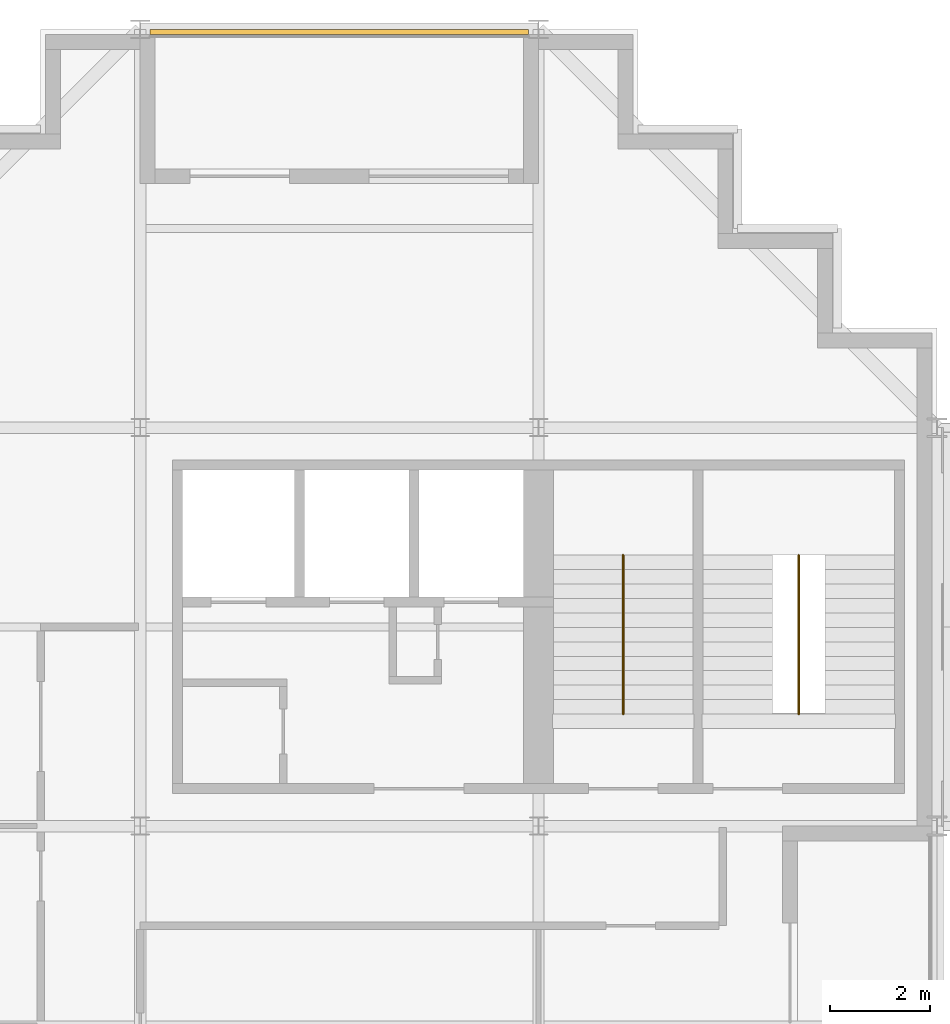
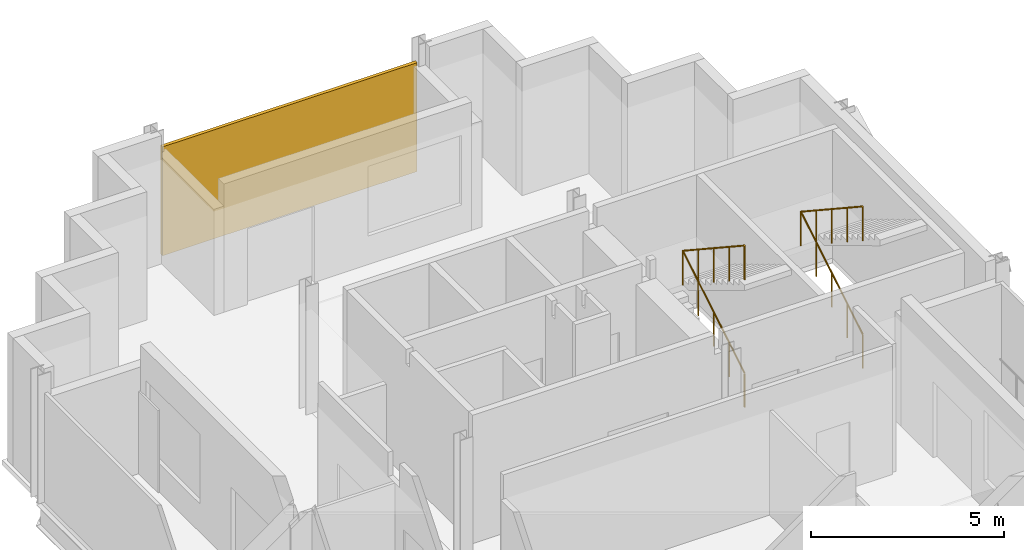
# One storey, part 11 of 12: 2 railings, 1 shading device.
"""IFC4 building model written with IfcOpenShell, lengths in metres."""

from ifc_helpers import new_model, si_unit, direction, frame, origin, origin_2d, place, context, subcontext, project, spatial, rectangle, circle, extrude, material, layer, layer_set, type_object, element, save


model = new_model("IFC4")

# Units and contexts
model_context = context("Model", 3, precision=1e-05, world=origin(), true_north=direction((0.0, 1.0)))
body_context = subcontext(model_context, "Body", "Model", "MODEL_VIEW")
ifc_project = project(units=[si_unit("LENGTHUNIT", "METRE"), si_unit("AREAUNIT", "SQUARE_METRE"), si_unit("VOLUMEUNIT", "CUBIC_METRE"), si_unit("PLANEANGLEUNIT", "RADIAN"), si_unit("MASSUNIT", "GRAM", prefix="KILO")], contexts=[model_context])

# Site, building, storey
site_placement = place(None, origin())
site = spatial("IfcSite", under=ifc_project, at=site_placement, CompositionType="ELEMENT")
building_placement = place(site_placement, origin())
building = spatial("IfcBuilding", under=site, at=building_placement, Name="Immortelle Media Tower", CompositionType="ELEMENT")
storey_placement = place(building_placement, frame((0.0, 0.0, 149.39990234375)))
storey = spatial("IfcBuildingStorey", under=building, at=storey_placement, Name="L30", CompositionType="ELEMENT", Elevation=149.39990234375)

# Shading device
ifc_material_1 = material(Name="Pale aluminium louvre blades", Category="aluminium")
ifc_layer = layer(ifc_material_1, 0.10009765625)
ifc_layer_set = layer_set([ifc_layer], Name="Pale aluminium louvre blades")
shading_device_type = type_object("IfcShadingDeviceType", Name="Jalousie screen 100", PredefinedType="JALOUSIE", material=ifc_layer_set)
shading_device_placement = place(storey_placement, frame((12.0, 47.949951171875, 0.0), z_axis=(0.0, 0.0, 1.0), x_axis=(-1.0, 0.0, 0.0)))
element("IfcShadingDevice", 1, at=shading_device_placement, inside=storey, type_object=shading_device_type, Name="Jalousie screen L30 N0", PredefinedType="JALOUSIE", context=body_context, shape_type="SweptSolid", body=[
    extrude(rectangle(XDim=7.60595703125, YDim=0.10009765625, at=origin_2d()), origin(), (0.0, 0.0, 1.0), 3.43798828125),
])

# Railings
ifc_material_2 = material(Name="Stainless steel AISI 316", Category="steel")
railing_type = type_object("IfcRailingType", Name="Stair guard 1100", PredefinedType="GUARDRAIL", material=ifc_material_2)
for number, where, name in (
    (2, (17.699951171875, 34.25, 0.175048828125), "Stair guard NW1"),
    (3, (21.22509765625, 34.25, 0.175048828125), "Stair guard NW2"),
):
    element("IfcRailing", number, at=place(storey_placement, frame(where)), inside=storey, type_object=railing_type, Name=name, PredefinedType="GUARDRAIL", context=body_context, shape_type="SweptSolid", body=[
        extrude(circle(Radius=0.02392578125, at=origin_2d()), frame((0.0, 0.0, 1.076171875), z_axis=(0.0, 0.856177665481, 0.516681531633), x_axis=(-1.0, 0.0, 0.0)), (0.0, 0.0, 1.0), 3.725830078125),
        extrude(circle(Radius=0.02392578125, at=origin_2d()), frame((0.0, 3.18994140625, 3.0009765625), z_axis=(0.0, -0.835242474824, 0.549881812983), x_axis=(1.0, 0.0, 0.0)), (0.0, 0.0, 1.0), 3.819091796875),
        extrude(circle(Radius=0.02099609375, at=origin_2d()), origin(), (0.0, 0.0, 1.0), 1.052001953125),
        extrude(circle(Radius=0.02099609375, at=origin_2d()), frame((0.0, 0.79736328125, 0.481201171875)), (0.0, 0.0, 1.0), 1.052001953125),
        extrude(circle(Radius=0.02099609375, at=origin_2d()), frame((0.0, 1.594970703125, 0.96240234375)), (0.0, 0.0, 1.0), 1.052001953125),
        extrude(circle(Radius=0.02099609375, at=origin_2d()), frame((0.0, 2.392578125, 1.44384765625)), (0.0, 0.0, 1.0), 1.052001953125),
        extrude(circle(Radius=0.02099609375, at=origin_2d()), frame((0.0, 3.18994140625, 1.925048828125)), (0.0, 0.0, 1.0), 1.052001953125),
        extrude(circle(Radius=0.02099609375, at=origin_2d()), frame((0.0, 2.392578125, 2.4501953125)), (0.0, 0.0, 1.0), 1.052001953125),
        extrude(circle(Radius=0.02099609375, at=origin_2d()), frame((0.0, 1.594970703125, 2.97509765625)), (0.0, 0.0, 1.0), 1.052001953125),
        extrude(circle(Radius=0.02099609375, at=origin_2d()), frame((0.0, 0.79736328125, 3.5)), (0.0, 0.0, 1.0), 1.052001953125),
        extrude(circle(Radius=0.02099609375, at=origin_2d()), frame((0.0, 0.0, 4.025146484375)), (0.0, 0.0, 1.0), 1.052001953125),
    ])

save(model, "model.ifc")
